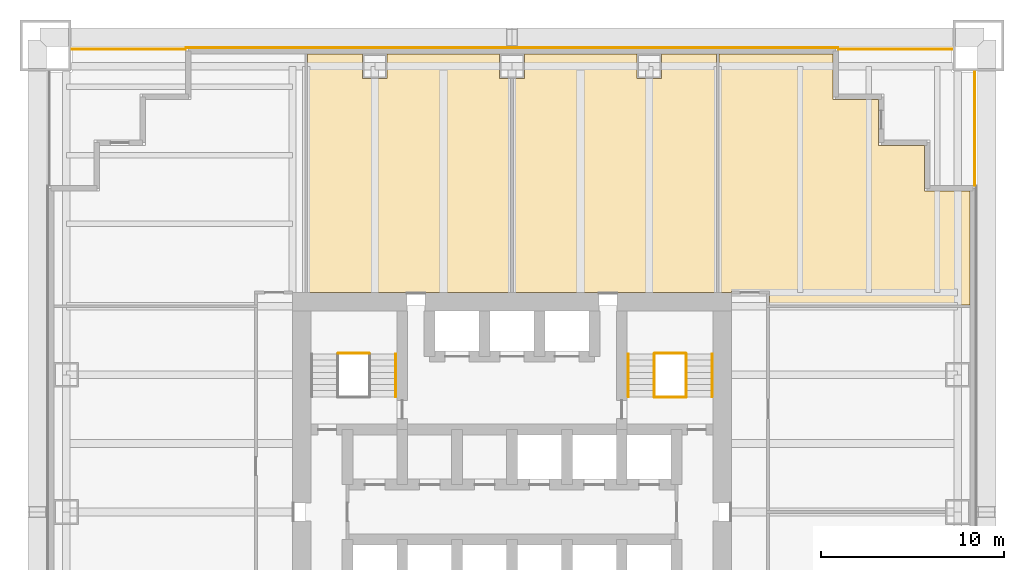
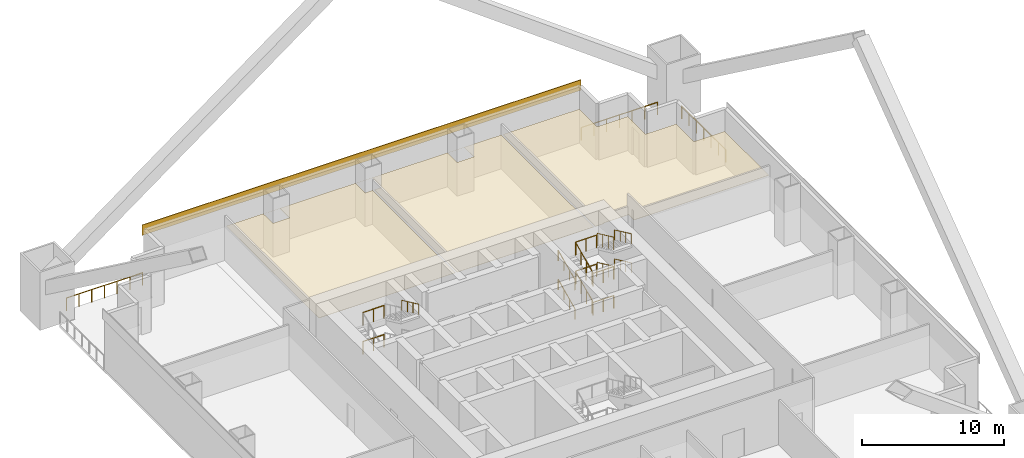
# One storey, part 6 of 6: 18 railings, 4 coverings.
"""IFC4 building model written with IfcOpenShell, lengths in metres."""

from ifc_helpers import new_model, si_unit, direction, frame, origin, origin_2d, place, context, subcontext, project, spatial, polyline, rectangle, circle, outline, extrude, material, layer, layer_set, type_object, element, save


model = new_model("IFC4")

# Units and contexts
model_context = context("Model", 3, precision=1e-05, world=origin(), true_north=direction((0.0, 1.0)))
body_context = subcontext(model_context, "Body", "Model", "MODEL_VIEW")
ifc_project = project(units=[si_unit("LENGTHUNIT", "METRE"), si_unit("AREAUNIT", "SQUARE_METRE"), si_unit("VOLUMEUNIT", "CUBIC_METRE"), si_unit("PLANEANGLEUNIT", "RADIAN"), si_unit("MASSUNIT", "GRAM", prefix="KILO")], contexts=[model_context])

# Site, building, storey
site_placement = place(None, origin())
site = spatial("IfcSite", under=ifc_project, at=site_placement, CompositionType="ELEMENT")
building_placement = place(site_placement, origin())
building = spatial("IfcBuilding", under=site, at=building_placement, Name="Tarangal Relay Tower", CompositionType="ELEMENT")
storey_placement = place(building_placement, frame((0.0, 0.0, 58.39990234375)))
storey = spatial("IfcBuildingStorey", under=building, at=storey_placement, Name="L11", CompositionType="ELEMENT", Elevation=58.39990234375)

# Covering
ifc_material_1 = material(Name="Black anodised aluminium cladding", Category="aluminium")
ifc_layer_1 = layer(ifc_material_1, 0.050048828125)
ifc_layer_set_1 = layer_set([ifc_layer_1], Name="Black metal spandrel band")
covering_type_1 = type_object("IfcCoveringType", Name="Black metal spandrel band", PredefinedType="CLADDING", material=ifc_layer_set_1)
covering_1_placement = place(storey_placement, frame((0.0, 25.375, 4.250244140625), z_axis=(0.0, 0.0, 1.0), x_axis=(1.0, 0.0, 0.0)))
element("IfcCovering", 1, at=covering_1_placement, inside=storey, type_object=covering_type_1, Name="Spandrel band SB1 N L11", PredefinedType="CLADDING", context=body_context, shape_type="SweptSolid", body=[
    extrude(rectangle(XDim=35.699951171875, YDim=0.050048828125, at=origin_2d()), origin(), (0.0, 0.0, 1.0), 0.89990234375),
])

# Railings
ifc_material_2 = material(Name="Steel guard, black finish", Category="steel")
railing_type_1 = type_object("IfcRailingType", Name="Stair guard 1100", PredefinedType="GUARDRAIL", material=ifc_material_2)
for number, where, name in (
    (2, (-9.5, 8.675048828125, 1.25), "Stair ST-A landing guard GR1 L11"),
    (3, (-9.5, 8.675048828125, 3.75), "Stair ST-A landing guard GR1 L11"),
):
    element("IfcRailing", number, at=place(storey_placement, frame(where)), inside=storey, type_object=railing_type_1, Name=name, PredefinedType="GUARDRAIL", context=body_context, shape_type="SweptSolid", body=[
        extrude(circle(Radius=0.02392578125, at=origin_2d()), frame((0.0, 0.0, 1.076171875), z_axis=(1.0, 0.0, 0.0), x_axis=(0.0, 1.0, 0.0)), (0.0, 0.0, 1.0), 1.699951171875),
        extrude(circle(Radius=0.02099609375, at=origin_2d()), origin(), (0.0, 0.0, 1.0), 1.052001953125),
        extrude(circle(Radius=0.02099609375, at=origin_2d()), frame((0.85009765625, 0.0, 0.0)), (0.0, 0.0, 1.0), 1.052001953125),
        extrude(circle(Radius=0.02099609375, at=origin_2d()), frame((1.699951171875, 0.0, 0.0)), (0.0, 0.0, 1.0), 1.052001953125),
    ])
railing_1_placement = place(storey_placement, frame((7.77001953125, 6.300048828125, 0.15625)))
element("IfcRailing", 4, at=railing_1_placement, inside=storey, type_object=railing_type_1, Name="Stair ST-B guard GR1 L11 flight 1", PredefinedType="GUARDRAIL", context=body_context, shape_type="SweptSolid", body=[
    extrude(circle(Radius=0.02392578125, at=origin_2d()), frame((0.0, 0.0, 1.076171875), z_axis=(0.0, 0.90626748934, 0.422704669676), x_axis=(-1.0, 0.0, 0.0)), (0.0, 0.0, 1.0), 2.58740234375),
    extrude(circle(Radius=0.02099609375, at=origin_2d()), origin(), (0.0, 0.0, 1.0), 1.052001953125),
    extrude(circle(Radius=0.02099609375, at=origin_2d()), frame((0.0, 0.78173828125, 0.364501953125)), (0.0, 0.0, 1.0), 1.052001953125),
    extrude(circle(Radius=0.02099609375, at=origin_2d()), frame((0.0, 1.563232421875, 0.729248046875)), (0.0, 0.0, 1.0), 1.052001953125),
    extrude(circle(Radius=0.02099609375, at=origin_2d()), frame((0.0, 2.344970703125, 1.09375)), (0.0, 0.0, 1.0), 1.052001953125),
])
railing_2_placement = place(storey_placement, frame((9.530029296875, 8.64501953125, 1.40625)))
element("IfcRailing", 5, at=railing_2_placement, inside=storey, type_object=railing_type_1, Name="Stair ST-B guard GR1 L11 flight 2", PredefinedType="GUARDRAIL", context=body_context, shape_type="SweptSolid", body=[
    extrude(circle(Radius=0.02392578125, at=origin_2d()), frame((0.0, 0.0, 1.076171875), z_axis=(0.0, -0.90626748934, 0.422704669676), x_axis=(1.0, 0.0, 0.0)), (0.0, 0.0, 1.0), 2.58740234375),
    extrude(circle(Radius=0.02099609375, at=origin_2d()), origin(), (0.0, 0.0, 1.0), 1.052001953125),
    extrude(circle(Radius=0.02099609375, at=origin_2d()), frame((0.0, -0.78173828125, 0.364501953125)), (0.0, 0.0, 1.0), 1.052001953125),
    extrude(circle(Radius=0.02099609375, at=origin_2d()), frame((0.0, -1.563232421875, 0.729248046875)), (0.0, 0.0, 1.0), 1.052001953125),
    extrude(circle(Radius=0.02099609375, at=origin_2d()), frame((0.0, -2.344970703125, 1.09375)), (0.0, 0.0, 1.0), 1.052001953125),
])
railing_3_placement = place(storey_placement, frame((7.77001953125, 6.300048828125, 2.65625)))
element("IfcRailing", 6, at=railing_3_placement, inside=storey, type_object=railing_type_1, Name="Stair ST-B guard GR1 L11 flight 3", PredefinedType="GUARDRAIL", context=body_context, shape_type="SweptSolid", body=[
    extrude(circle(Radius=0.02392578125, at=origin_2d()), frame((0.0, 0.0, 1.076171875), z_axis=(0.0, 0.90626748934, 0.422704669676), x_axis=(-1.0, 0.0, 0.0)), (0.0, 0.0, 1.0), 2.58740234375),
    extrude(circle(Radius=0.02099609375, at=origin_2d()), origin(), (0.0, 0.0, 1.0), 1.052001953125),
    extrude(circle(Radius=0.02099609375, at=origin_2d()), frame((0.0, 0.78173828125, 0.364501953125)), (0.0, 0.0, 1.0), 1.052001953125),
    extrude(circle(Radius=0.02099609375, at=origin_2d()), frame((0.0, 1.563232421875, 0.729248046875)), (0.0, 0.0, 1.0), 1.052001953125),
    extrude(circle(Radius=0.02099609375, at=origin_2d()), frame((0.0, 2.344970703125, 1.09375)), (0.0, 0.0, 1.0), 1.052001953125),
])
railing_4_placement = place(storey_placement, frame((9.530029296875, 8.64501953125, 3.90625)))
element("IfcRailing", 7, at=railing_4_placement, inside=storey, type_object=railing_type_1, Name="Stair ST-B guard GR1 L11 flight 4", PredefinedType="GUARDRAIL", context=body_context, shape_type="SweptSolid", body=[
    extrude(circle(Radius=0.02392578125, at=origin_2d()), frame((0.0, 0.0, 1.076171875), z_axis=(0.0, -0.90626748934, 0.422704669676), x_axis=(1.0, 0.0, 0.0)), (0.0, 0.0, 1.0), 2.58740234375),
    extrude(circle(Radius=0.02099609375, at=origin_2d()), origin(), (0.0, 0.0, 1.0), 1.052001953125),
    extrude(circle(Radius=0.02099609375, at=origin_2d()), frame((0.0, -0.78173828125, 0.364501953125)), (0.0, 0.0, 1.0), 1.052001953125),
    extrude(circle(Radius=0.02099609375, at=origin_2d()), frame((0.0, -1.563232421875, 0.729248046875)), (0.0, 0.0, 1.0), 1.052001953125),
    extrude(circle(Radius=0.02099609375, at=origin_2d()), frame((0.0, -2.344970703125, 1.09375)), (0.0, 0.0, 1.0), 1.052001953125),
])
for number, where, name in (
    (8, (7.800048828125, 6.27001953125, 0.0), "Stair ST-B landing guard GR1 L11"),
    (9, (7.800048828125, 8.675048828125, 1.25), "Stair ST-B landing guard GR1 L11"),
    (10, (7.800048828125, 6.27001953125, 2.5), "Stair ST-B landing guard GR1 L11"),
    (11, (7.800048828125, 8.675048828125, 3.75), "Stair ST-B landing guard GR1 L11"),
):
    element("IfcRailing", number, at=place(storey_placement, frame(where)), inside=storey, type_object=railing_type_1, Name=name, PredefinedType="GUARDRAIL", context=body_context, shape_type="SweptSolid", body=[
        extrude(circle(Radius=0.02392578125, at=origin_2d()), frame((0.0, 0.0, 1.076171875), z_axis=(1.0, 0.0, 0.0), x_axis=(0.0, 1.0, 0.0)), (0.0, 0.0, 1.0), 1.699951171875),
        extrude(circle(Radius=0.02099609375, at=origin_2d()), origin(), (0.0, 0.0, 1.0), 1.052001953125),
        extrude(circle(Radius=0.02099609375, at=origin_2d()), frame((0.85009765625, 0.0, 0.0)), (0.0, 0.0, 1.0), 1.052001953125),
        extrude(circle(Radius=0.02099609375, at=origin_2d()), frame((1.699951171875, 0.0, 0.0)), (0.0, 0.0, 1.0), 1.052001953125),
    ])
ifc_material_3 = material(Name="Steel handrail, black finish", Category="steel")
railing_type_2 = type_object("IfcRailingType", Name="Stair handrail 900", PredefinedType="HANDRAIL", material=ifc_material_3)
railing_5_placement = place(storey_placement, frame((-6.360107421875, 8.64501953125, 3.90625)))
element("IfcRailing", 12, at=railing_5_placement, inside=storey, type_object=railing_type_2, Name="Stair ST-A handrail HR1 L11 flight 4", PredefinedType="HANDRAIL", context=body_context, shape_type="SweptSolid", body=[
    extrude(circle(Radius=0.02392578125, at=origin_2d()), frame((0.0, 0.0, 0.8759765625), z_axis=(0.0, -0.90626748934, 0.422704669676), x_axis=(1.0, 0.0, 0.0)), (0.0, 0.0, 1.0), 2.58740234375),
    extrude(circle(Radius=0.02099609375, at=origin_2d()), origin(), (0.0, 0.0, 1.0), 0.851806640625),
    extrude(circle(Radius=0.02099609375, at=origin_2d()), frame((0.0, -0.78173828125, 0.364501953125)), (0.0, 0.0, 1.0), 0.851806640625),
    extrude(circle(Radius=0.02099609375, at=origin_2d()), frame((0.0, -1.563232421875, 0.729248046875)), (0.0, 0.0, 1.0), 0.851806640625),
    extrude(circle(Radius=0.02099609375, at=origin_2d()), frame((0.0, -2.344970703125, 1.09375)), (0.0, 0.0, 1.0), 0.851806640625),
])
railing_6_placement = place(storey_placement, frame((6.360107421875, 6.300048828125, 0.15625)))
element("IfcRailing", 13, at=railing_6_placement, inside=storey, type_object=railing_type_2, Name="Stair ST-B handrail HR1 L11 flight 1", PredefinedType="HANDRAIL", context=body_context, shape_type="SweptSolid", body=[
    extrude(circle(Radius=0.02392578125, at=origin_2d()), frame((0.0, 0.0, 0.8759765625), z_axis=(0.0, 0.90626748934, 0.422704669676), x_axis=(-1.0, 0.0, 0.0)), (0.0, 0.0, 1.0), 2.58740234375),
    extrude(circle(Radius=0.02099609375, at=origin_2d()), origin(), (0.0, 0.0, 1.0), 0.851806640625),
    extrude(circle(Radius=0.02099609375, at=origin_2d()), frame((0.0, 0.78173828125, 0.364501953125)), (0.0, 0.0, 1.0), 0.851806640625),
    extrude(circle(Radius=0.02099609375, at=origin_2d()), frame((0.0, 1.563232421875, 0.729248046875)), (0.0, 0.0, 1.0), 0.851806640625),
    extrude(circle(Radius=0.02099609375, at=origin_2d()), frame((0.0, 2.344970703125, 1.09375)), (0.0, 0.0, 1.0), 0.851806640625),
])
railing_7_placement = place(storey_placement, frame((10.93994140625, 8.64501953125, 1.40625)))
element("IfcRailing", 14, at=railing_7_placement, inside=storey, type_object=railing_type_2, Name="Stair ST-B handrail HR1 L11 flight 2", PredefinedType="HANDRAIL", context=body_context, shape_type="SweptSolid", body=[
    extrude(circle(Radius=0.02392578125, at=origin_2d()), frame((0.0, 0.0, 0.8759765625), z_axis=(0.0, -0.90626748934, 0.422704669676), x_axis=(1.0, 0.0, 0.0)), (0.0, 0.0, 1.0), 2.58740234375),
    extrude(circle(Radius=0.02099609375, at=origin_2d()), origin(), (0.0, 0.0, 1.0), 0.851806640625),
    extrude(circle(Radius=0.02099609375, at=origin_2d()), frame((0.0, -0.78173828125, 0.364501953125)), (0.0, 0.0, 1.0), 0.851806640625),
    extrude(circle(Radius=0.02099609375, at=origin_2d()), frame((0.0, -1.563232421875, 0.729248046875)), (0.0, 0.0, 1.0), 0.851806640625),
    extrude(circle(Radius=0.02099609375, at=origin_2d()), frame((0.0, -2.344970703125, 1.09375)), (0.0, 0.0, 1.0), 0.851806640625),
])
railing_8_placement = place(storey_placement, frame((6.360107421875, 6.300048828125, 2.65625)))
element("IfcRailing", 15, at=railing_8_placement, inside=storey, type_object=railing_type_2, Name="Stair ST-B handrail HR1 L11 flight 3", PredefinedType="HANDRAIL", context=body_context, shape_type="SweptSolid", body=[
    extrude(circle(Radius=0.02392578125, at=origin_2d()), frame((0.0, 0.0, 0.8759765625), z_axis=(0.0, 0.90626748934, 0.422704669676), x_axis=(-1.0, 0.0, 0.0)), (0.0, 0.0, 1.0), 2.58740234375),
    extrude(circle(Radius=0.02099609375, at=origin_2d()), origin(), (0.0, 0.0, 1.0), 0.851806640625),
    extrude(circle(Radius=0.02099609375, at=origin_2d()), frame((0.0, 0.78173828125, 0.364501953125)), (0.0, 0.0, 1.0), 0.851806640625),
    extrude(circle(Radius=0.02099609375, at=origin_2d()), frame((0.0, 1.563232421875, 0.729248046875)), (0.0, 0.0, 1.0), 0.851806640625),
    extrude(circle(Radius=0.02099609375, at=origin_2d()), frame((0.0, 2.344970703125, 1.09375)), (0.0, 0.0, 1.0), 0.851806640625),
])
railing_9_placement = place(storey_placement, frame((10.93994140625, 8.64501953125, 3.90625)))
element("IfcRailing", 16, at=railing_9_placement, inside=storey, type_object=railing_type_2, Name="Stair ST-B handrail HR1 L11 flight 4", PredefinedType="HANDRAIL", context=body_context, shape_type="SweptSolid", body=[
    extrude(circle(Radius=0.02392578125, at=origin_2d()), frame((0.0, 0.0, 0.8759765625), z_axis=(0.0, -0.90626748934, 0.422704669676), x_axis=(1.0, 0.0, 0.0)), (0.0, 0.0, 1.0), 2.58740234375),
    extrude(circle(Radius=0.02099609375, at=origin_2d()), origin(), (0.0, 0.0, 1.0), 0.851806640625),
    extrude(circle(Radius=0.02099609375, at=origin_2d()), frame((0.0, -0.78173828125, 0.364501953125)), (0.0, 0.0, 1.0), 0.851806640625),
    extrude(circle(Radius=0.02099609375, at=origin_2d()), frame((0.0, -1.563232421875, 0.729248046875)), (0.0, 0.0, 1.0), 0.851806640625),
    extrude(circle(Radius=0.02099609375, at=origin_2d()), frame((0.0, -2.344970703125, 1.09375)), (0.0, 0.0, 1.0), 0.851806640625),
])

# Coverings
ifc_material_4 = material(Name="Mineral fibre ceiling tiles", Category="gypsum")
ifc_layer_2 = layer(ifc_material_4, 0.02001953125)
ifc_layer_set_2 = layer_set([ifc_layer_2], Name="Suspended ceiling")
covering_type_2 = type_object("IfcCoveringType", Name="Suspended ceiling", PredefinedType="CEILING", material=ifc_layer_set_2)
covering_2_placement = place(storey_placement, frame((0.0, 0.0, 2.900146484375)))
element("IfcCovering", 17, at=covering_2_placement, inside=storey, type_object=covering_type_2, Name="Suspended ceiling CL1 L11-02", PredefinedType="CEILING", context=body_context, shape_type="SweptSolid", body=[
    extrude(outline(polyline([(-0.074951171875, 23.68994140625), (-0.675048828125, 23.68994140625), (-0.675048828125, 25.0400390625), (0.0, 25.0400390625), (0.0, 25.050048828125), (-11.175048828125, 25.050048828125), (-11.175048828125, 12.0), (-0.074951171875, 12.0), (-0.074951171875, 23.68994140625)]), holes=[polyline([(-6.824951171875, 23.68994140625), (-6.824951171875, 25.0400390625), (-8.175048828125, 25.0400390625), (-8.175048828125, 23.68994140625), (-6.824951171875, 23.68994140625)])]), origin(), (0.0, 0.0, 1.0), 0.02001953125),
])
covering_3_placement = place(storey_placement, frame((0.0, 0.0, 2.900146484375)))
element("IfcCovering", 18, at=covering_3_placement, inside=storey, type_object=covering_type_2, Name="Suspended ceiling CL1 L11-03", PredefinedType="CEILING", context=body_context, shape_type="SweptSolid", body=[
    extrude(outline(polyline([(0.074951171875, 12.0), (11.175048828125, 12.0), (11.175048828125, 25.050048828125), (0.0, 25.050048828125), (0.0, 25.0400390625), (0.675048828125, 25.0400390625), (0.675048828125, 23.68994140625), (0.074951171875, 23.68994140625), (0.074951171875, 12.0)]), holes=[polyline([(8.175048828125, 23.68994140625), (8.175048828125, 25.0400390625), (6.824951171875, 25.0400390625), (6.824951171875, 23.68994140625), (8.175048828125, 23.68994140625)])]), origin(), (0.0, 0.0, 1.0), 0.02001953125),
])
covering_4_placement = place(storey_placement, frame((0.0, 0.0, 2.900146484375)))
element("IfcCovering", 19, at=covering_4_placement, inside=storey, type_object=covering_type_2, Name="Suspended ceiling CL1 L11-11", PredefinedType="CEILING", context=body_context, shape_type="SweptSolid", body=[
    extrude(outline(polyline([(11.324951171875, 25.050048828125), (11.324951171875, 12.0), (12.0, 12.0), (12.0, 12.074951171875), (14.074951171875, 12.074951171875), (14.074951171875, 11.324951171875), (25.050048828125, 11.324951171875), (25.050048828125, 17.550048828125), (22.550048828125, 17.550048828125), (22.550048828125, 20.050048828125), (20.050048828125, 20.050048828125), (20.050048828125, 22.550048828125), (17.550048828125, 22.550048828125), (17.550048828125, 25.050048828125), (11.324951171875, 25.050048828125)])), origin(), (0.0, 0.0, 1.0), 0.02001953125),
])

# Railings
ifc_material_5 = material(Name="Black steel guard with glass infill", Category="steel")
railing_type_3 = type_object("IfcRailingType", Name="Terrace guard 1100", PredefinedType="GUARDRAIL", material=ifc_material_5)
railing_10_placement = place(storey_placement, frame((17.85009765625, 25.300048828125, 0.0)))
element("IfcRailing", 20, at=railing_10_placement, inside=storey, type_object=railing_type_3, Name="Terrace guard GR2 NE L11", PredefinedType="GUARDRAIL", context=body_context, shape_type="SweptSolid", body=[
    extrude(circle(Radius=0.02392578125, at=origin_2d()), frame((0.0, 0.0, 1.076171875), z_axis=(1.0, 0.0, 0.0), x_axis=(0.0, 1.0, 0.0)), (0.0, 0.0, 1.0), 6.199951171875),
    extrude(circle(Radius=0.02099609375, at=origin_2d()), origin(), (0.0, 0.0, 1.0), 1.052001953125),
    extrude(circle(Radius=0.02099609375, at=origin_2d()), frame((1.033203125, 0.0, 0.0)), (0.0, 0.0, 1.0), 1.052001953125),
    extrude(circle(Radius=0.02099609375, at=origin_2d()), frame((2.066650390625, 0.0, 0.0)), (0.0, 0.0, 1.0), 1.052001953125),
    extrude(circle(Radius=0.02099609375, at=origin_2d()), frame((3.10009765625, 0.0, 0.0)), (0.0, 0.0, 1.0), 1.052001953125),
    extrude(circle(Radius=0.02099609375, at=origin_2d()), frame((4.13330078125, 0.0, 0.0)), (0.0, 0.0, 1.0), 1.052001953125),
    extrude(circle(Radius=0.02099609375, at=origin_2d()), frame((5.16650390625, 0.0, 0.0)), (0.0, 0.0, 1.0), 1.052001953125),
    extrude(circle(Radius=0.02099609375, at=origin_2d()), frame((6.199951171875, 0.0, 0.0)), (0.0, 0.0, 1.0), 1.052001953125),
])
railing_11_placement = place(storey_placement, frame((25.300048828125, 24.050048828125, 0.0)))
element("IfcRailing", 21, at=railing_11_placement, inside=storey, type_object=railing_type_3, Name="Terrace guard GR2 NE L11", PredefinedType="GUARDRAIL", context=body_context, shape_type="SweptSolid", body=[
    extrude(circle(Radius=0.02392578125, at=origin_2d()), frame((0.0, 0.0, 1.076171875), z_axis=(0.0, -1.0, 0.0), x_axis=(1.0, 0.0, 0.0)), (0.0, 0.0, 1.0), 6.199951171875),
    extrude(circle(Radius=0.02099609375, at=origin_2d()), origin(), (0.0, 0.0, 1.0), 1.052001953125),
    extrude(circle(Radius=0.02099609375, at=origin_2d()), frame((0.0, -1.033203125, 0.0)), (0.0, 0.0, 1.0), 1.052001953125),
    extrude(circle(Radius=0.02099609375, at=origin_2d()), frame((0.0, -2.066650390625, 0.0)), (0.0, 0.0, 1.0), 1.052001953125),
    extrude(circle(Radius=0.02099609375, at=origin_2d()), frame((0.0, -3.10009765625, 0.0)), (0.0, 0.0, 1.0), 1.052001953125),
    extrude(circle(Radius=0.02099609375, at=origin_2d()), frame((0.0, -4.13330078125, 0.0)), (0.0, 0.0, 1.0), 1.052001953125),
    extrude(circle(Radius=0.02099609375, at=origin_2d()), frame((0.0, -5.16650390625, 0.0)), (0.0, 0.0, 1.0), 1.052001953125),
    extrude(circle(Radius=0.02099609375, at=origin_2d()), frame((0.0, -6.199951171875, 0.0)), (0.0, 0.0, 1.0), 1.052001953125),
])
railing_12_placement = place(storey_placement, frame((-24.050048828125, 25.300048828125, 0.0)))
element("IfcRailing", 22, at=railing_12_placement, inside=storey, type_object=railing_type_3, Name="Terrace guard GR2 NW L11", PredefinedType="GUARDRAIL", context=body_context, shape_type="SweptSolid", body=[
    extrude(circle(Radius=0.02392578125, at=origin_2d()), frame((0.0, 0.0, 1.076171875), z_axis=(1.0, 0.0, 0.0), x_axis=(0.0, 1.0, 0.0)), (0.0, 0.0, 1.0), 6.199951171875),
    extrude(circle(Radius=0.02099609375, at=origin_2d()), origin(), (0.0, 0.0, 1.0), 1.052001953125),
    extrude(circle(Radius=0.02099609375, at=origin_2d()), frame((1.033203125, 0.0, 0.0)), (0.0, 0.0, 1.0), 1.052001953125),
    extrude(circle(Radius=0.02099609375, at=origin_2d()), frame((2.066650390625, 0.0, 0.0)), (0.0, 0.0, 1.0), 1.052001953125),
    extrude(circle(Radius=0.02099609375, at=origin_2d()), frame((3.10009765625, 0.0, 0.0)), (0.0, 0.0, 1.0), 1.052001953125),
    extrude(circle(Radius=0.02099609375, at=origin_2d()), frame((4.13330078125, 0.0, 0.0)), (0.0, 0.0, 1.0), 1.052001953125),
    extrude(circle(Radius=0.02099609375, at=origin_2d()), frame((5.16650390625, 0.0, 0.0)), (0.0, 0.0, 1.0), 1.052001953125),
    extrude(circle(Radius=0.02099609375, at=origin_2d()), frame((6.199951171875, 0.0, 0.0)), (0.0, 0.0, 1.0), 1.052001953125),
])

save(model, "model.ifc")
